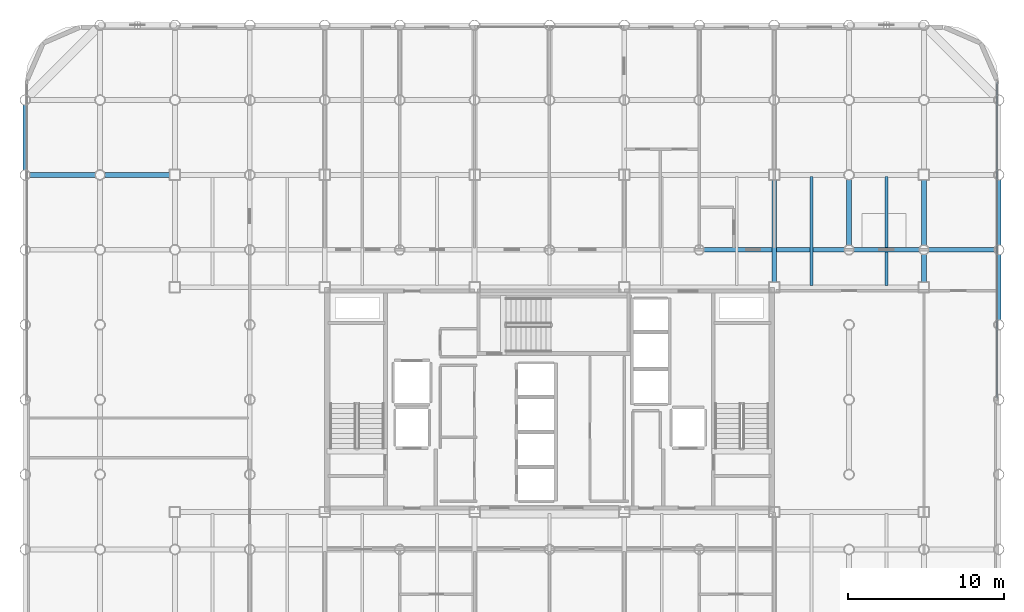
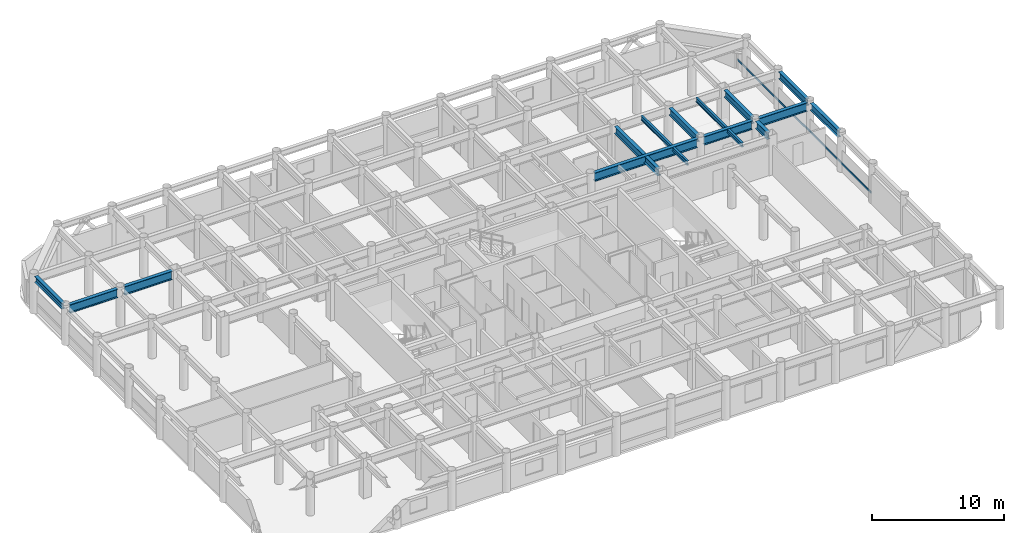
# One storey, part 9 of 21: 14 beams, 1 member, 1 element without a shape of its own.
"""IFC4 building model written with IfcOpenShell, lengths in metres."""

from ifc_helpers import new_model, si_unit, direction, frame, origin, origin_2d, place, context, subcontext, project, spatial, hollow_rectangle, i_section, extrude, material, layer, layer_set, material_profile, profile_set, type_object, element, aggregate, save


model = new_model("IFC4")

# Units and contexts
model_context = context("Model", 3, precision=1e-05, world=origin(), true_north=direction((0.0, 1.0)))
body_context = subcontext(model_context, "Body", "Model", "MODEL_VIEW")
ifc_project = project(units=[si_unit("LENGTHUNIT", "METRE"), si_unit("AREAUNIT", "SQUARE_METRE"), si_unit("VOLUMEUNIT", "CUBIC_METRE"), si_unit("PLANEANGLEUNIT", "RADIAN"), si_unit("MASSUNIT", "GRAM", prefix="KILO")], contexts=[model_context])

# Site, building, storey
site_placement = place(None, origin())
site = spatial("IfcSite", under=ifc_project, at=site_placement, CompositionType="ELEMENT")
building_placement = place(site_placement, origin())
building = spatial("IfcBuilding", under=site, at=building_placement, Name="Kallvorn Hotel Tower", CompositionType="ELEMENT")
storey_placement = place(building_placement, frame((0.0, 0.0, 139.60009765625)))
storey = spatial("IfcBuildingStorey", under=building, at=storey_placement, Name="L34", CompositionType="ELEMENT", Elevation=139.60009765625)

# Beams
ifc_material_1 = material(Name="Structural steel S355JR", Category="steel")
ifc_material_profile_1 = material_profile(ifc_material_1, i_section(OverallWidth=0.300048828125, OverallDepth=0.550048828125, WebThickness=0.014892578125, FlangeThickness=0.029052734375, at=origin_2d()), Name="HE 550 B")
ifc_profile_set_1 = profile_set([ifc_material_profile_1], Name="Structural steel S355JR")
beam_type_1 = type_object("IfcBeamType", Name="BM_HE550B", PredefinedType="SPANDREL", material=ifc_profile_set_1)
beam_1_placement = place(storey_placement, frame((-33.60009765625, 14.719970703125, 3.244873046875), z_axis=(0.0, 1.0, 0.0), x_axis=(-1.0, 0.0, 0.0)))
element("IfcBeam", 1, at=beam_1_placement, inside=storey, type_object=beam_type_1, Name="L35 Perimeter Spandrel 180", PredefinedType="SPANDREL", context=body_context, shape_type="SweptSolid", body=[
    extrude(i_section(OverallWidth=0.300048828125, OverallDepth=0.550048828125, WebThickness=0.014892578125, FlangeThickness=0.029052734375, at=origin_2d()), origin(), (0.0, 0.0, 1.0), 4.159912109375),
])
ifc_material_2 = material(Name="Structural steel S355JR", Category="steel")
ifc_material_profile_2 = material_profile(ifc_material_2, i_section(OverallWidth=0.300048828125, OverallDepth=0.64990234375, WebThickness=0.01611328125, FlangeThickness=0.031005859375, at=origin_2d()), Name="HE 650 B")
ifc_profile_set_2 = profile_set([ifc_material_profile_2], Name="Structural steel S355JR")
beam_type_2 = type_object("IfcBeamType", Name="BM_HE650B", PredefinedType="BEAM", material=ifc_profile_set_2)
beam_2_placement = place(storey_placement, frame((14.39990234375, 7.52490234375, 3.19482421875), z_axis=(0.0, 1.0, 0.0), x_axis=(-1.0, 0.0, 0.0)))
element("IfcBeam", 2, at=beam_2_placement, inside=storey, type_object=beam_type_2, Name="L35 Primary Y-Girder 124", PredefinedType="BEAM", context=body_context, shape_type="SweptSolid", body=[
    extrude(i_section(OverallWidth=0.300048828125, OverallDepth=0.64990234375, WebThickness=0.01611328125, FlangeThickness=0.031005859375, at=origin_2d()), origin(), (0.0, 0.0, 1.0), 6.550048828125),
])
beam_3_placement = place(storey_placement, frame((19.199951171875, 9.905029296875, 3.19482421875), z_axis=(0.0, 1.0, 0.0), x_axis=(-1.0, 0.0, 0.0)))
element("IfcBeam", 3, at=beam_3_placement, inside=storey, type_object=beam_type_2, Name="L35 Primary Y-Girder 133", PredefinedType="BEAM", context=body_context, shape_type="SweptSolid", body=[
    extrude(i_section(OverallWidth=0.300048828125, OverallDepth=0.64990234375, WebThickness=0.01611328125, FlangeThickness=0.031005859375, at=origin_2d()), origin(), (0.0, 0.0, 1.0), 4.18994140625),
])
beam_4_placement = place(storey_placement, frame((24.0, 7.52490234375, 3.19482421875), z_axis=(0.0, 1.0, 0.0), x_axis=(-1.0, 0.0, 0.0)))
element("IfcBeam", 4, at=beam_4_placement, inside=storey, type_object=beam_type_2, Name="L35 Primary Y-Girder 139", PredefinedType="BEAM", context=body_context, shape_type="SweptSolid", body=[
    extrude(i_section(OverallWidth=0.300048828125, OverallDepth=0.64990234375, WebThickness=0.01611328125, FlangeThickness=0.031005859375, at=origin_2d()), origin(), (0.0, 0.0, 1.0), 1.77001953125),
])
beam_5_placement = place(storey_placement, frame((24.0, 9.905029296875, 3.19482421875), z_axis=(0.0, 1.0, 0.0), x_axis=(-1.0, 0.0, 0.0)))
element("IfcBeam", 5, at=beam_5_placement, inside=storey, type_object=beam_type_2, Name="L35 Primary Y-Girder 140", PredefinedType="BEAM", context=body_context, shape_type="SweptSolid", body=[
    extrude(i_section(OverallWidth=0.300048828125, OverallDepth=0.64990234375, WebThickness=0.01611328125, FlangeThickness=0.031005859375, at=origin_2d()), origin(), (0.0, 0.0, 1.0), 4.169921875),
])
for number, where, z_axis, x_axis, name in (
    (6, (28.800048828125, 5.10498046875, 3.19482421875), (0.0, 1.0, 0.0), (-1.0, 0.0, 0.0), "L35 Primary Y-Girder 148"),
    (7, (28.800048828125, 9.905029296875, 3.19482421875), (0.0, 1.0, 0.0), (-1.0, 0.0, 0.0), "L35 Primary Y-Girder 149"),
):
    element("IfcBeam", number, at=place(storey_placement, frame(where, z_axis=z_axis, x_axis=x_axis)), inside=storey, type_object=beam_type_2, Name=name, PredefinedType="BEAM", context=body_context, shape_type="SweptSolid", body=[
        extrude(i_section(OverallWidth=0.300048828125, OverallDepth=0.64990234375, WebThickness=0.01611328125, FlangeThickness=0.031005859375, at=origin_2d()), origin(), (0.0, 0.0, 1.0), 4.18994140625),
    ])
ifc_material_3 = material(Name="Structural steel S355JR", Category="steel")
ifc_material_profile_3 = material_profile(ifc_material_3, i_section(OverallWidth=0.300048828125, OverallDepth=0.800048828125, WebThickness=0.017578125, FlangeThickness=0.032958984375, at=origin_2d()), Name="HE 800 B")
ifc_profile_set_3 = profile_set([ifc_material_profile_3], Name="Structural steel S355JR")
beam_type_3 = type_object("IfcBeamType", Name="BM_HE800B", PredefinedType="BEAM", material=ifc_profile_set_3)
beam_6_placement = place(storey_placement, frame((9.905029296875, 9.60009765625, 3.119873046875), z_axis=(1.0, 0.0, 0.0), x_axis=(0.0, 1.0, 0.0)))
element("IfcBeam", 8, at=beam_6_placement, inside=storey, type_object=beam_type_3, Name="L35 Primary X-Girder 47", PredefinedType="BEAM", context=body_context, shape_type="SweptSolid", body=[
    extrude(i_section(OverallWidth=0.300048828125, OverallDepth=0.800048828125, WebThickness=0.017578125, FlangeThickness=0.032958984375, at=origin_2d()), origin(), (0.0, 0.0, 1.0), 8.989990234375),
])
for number, where, z_axis, x_axis, name in (
    (9, (19.5048828125, 9.60009765625, 3.119873046875), (1.0, 0.0, 0.0), (0.0, 1.0, 0.0), "L35 Primary X-Girder 48"),
    (10, (24.304931640625, 9.60009765625, 3.119873046875), (1.0, 0.0, 0.0), (0.0, 1.0, 0.0), "L35 Primary X-Girder 49"),
):
    element("IfcBeam", number, at=place(storey_placement, frame(where, z_axis=z_axis, x_axis=x_axis)), inside=storey, type_object=beam_type_3, Name=name, PredefinedType="BEAM", context=body_context, shape_type="SweptSolid", body=[
        extrude(i_section(OverallWidth=0.300048828125, OverallDepth=0.800048828125, WebThickness=0.017578125, FlangeThickness=0.032958984375, at=origin_2d()), origin(), (0.0, 0.0, 1.0), 4.190185546875),
    ])
beam_7_placement = place(storey_placement, frame((-33.294921875, 14.39990234375, 3.119873046875), z_axis=(1.0, 0.0, 0.0), x_axis=(0.0, 1.0, 0.0)))
element("IfcBeam", 11, at=beam_7_placement, inside=storey, type_object=beam_type_3, Name="L35 Primary X-Girder 50", PredefinedType="BEAM", context=body_context, shape_type="SweptSolid", body=[
    extrude(i_section(OverallWidth=0.300048828125, OverallDepth=0.800048828125, WebThickness=0.017578125, FlangeThickness=0.032958984375, at=origin_2d()), origin(), (0.0, 0.0, 1.0), 4.18994140625),
])
beam_8_placement = place(storey_placement, frame((-28.4951171875, 14.39990234375, 3.119873046875), z_axis=(1.0, 0.0, 0.0), x_axis=(0.0, 1.0, 0.0)))
element("IfcBeam", 12, at=beam_8_placement, inside=storey, type_object=beam_type_3, Name="L35 Primary X-Girder 51", PredefinedType="BEAM", context=body_context, shape_type="SweptSolid", body=[
    extrude(i_section(OverallWidth=0.300048828125, OverallDepth=0.800048828125, WebThickness=0.017578125, FlangeThickness=0.032958984375, at=origin_2d()), origin(), (0.0, 0.0, 1.0), 4.170166015625),
])
ifc_material_4 = material(Name="Structural steel S355JR", Category="steel")
ifc_material_profile_4 = material_profile(ifc_material_4, i_section(OverallWidth=0.179931640625, OverallDepth=0.39990234375, WebThickness=0.008544921875, FlangeThickness=0.013427734375, at=origin_2d()), Name="IPE 400")
ifc_profile_set_4 = profile_set([ifc_material_profile_4], Name="Structural steel S355JR")
beam_type_4 = type_object("IfcBeamType", Name="BM_IPE400", PredefinedType="JOIST", material=ifc_profile_set_4)
for number, where, z_axis, x_axis, name in (
    (13, (16.800048828125, 7.300048828125, 3.31982421875), (0.0, 1.0, 0.0), (-1.0, 0.0, 0.0), "L35 Secondary Composite Joist 207"),
    (14, (21.60009765625, 7.300048828125, 3.31982421875), (0.0, 1.0, 0.0), (-1.0, 0.0, 0.0), "L35 Secondary Composite Joist 209"),
):
    element("IfcBeam", number, at=place(storey_placement, frame(where, z_axis=z_axis, x_axis=x_axis)), inside=storey, type_object=beam_type_4, Name=name, PredefinedType="JOIST", context=body_context, shape_type="SweptSolid", body=[
        extrude(i_section(OverallWidth=0.179931640625, OverallDepth=0.39990234375, WebThickness=0.008544921875, FlangeThickness=0.013427734375, at=origin_2d()), origin(), (0.0, 0.0, 1.0), 7.0),
    ])

# Curtain wall, member
ifc_material_5 = material(Name="Thermally broken black-anodised aluminium AA 6063-T6", Category="aluminium")
ifc_layer = layer(ifc_material_5, 0.2099609375)
ifc_layer_set = layer_set([ifc_layer], Name="CW_SYS_4_HOTEL_MID")
curtain_wall_type = type_object("IfcCurtainWallType", Name="CW_SYS_4_HOTEL_MID", PredefinedType="USERDEFINED", material=ifc_layer_set)
curtain_wall_placement = place(storey_placement, origin())
curtain_wall = element("IfcCurtainWall", 15, at=curtain_wall_placement, inside=storey, type_object=curtain_wall_type, Name="L34 Dark-Glass Curtain Wall CW-L34-EN", ObjectType="UNITISED CURTAIN WALL", PredefinedType="USERDEFINED")
ifc_material_6 = material(Name="Thermally broken black-anodised aluminium AA 6063-T6", Category="aluminium")
ifc_material_profile_5 = material_profile(ifc_material_6, hollow_rectangle(XDim=0.070068359375, YDim=0.179931640625, WallThickness=0.00390625, at=origin_2d()), Name="TRN 180x70")
ifc_profile_set_5 = profile_set([ifc_material_profile_5], Name="Thermally broken black-anodised aluminium AA 6063-T6")
member_type = type_object("IfcMemberType", Name="CW_TRANSOM_180x70", PredefinedType="USERDEFINED", material=ifc_profile_set_5)
member_placement = place(storey_placement, frame((28.679931640625, 0.06005859375, 0.849853515625), z_axis=(0.0, 1.0, 0.0), x_axis=(-1.0, 0.0, 0.0)))
member = element("IfcMember", 16, at=member_placement, type_object=member_type, Name="CW-L34-EN Transom 00M", ObjectType="TRANSOM", PredefinedType="USERDEFINED", context=body_context, shape_type="SweptSolid", body=[
    extrude(hollow_rectangle(XDim=0.070068359375, YDim=0.179931640625, WallThickness=0.00390625, at=origin_2d()), origin(), (0.0, 0.0, 1.0), 20.300048828125),
])
aggregate(curtain_wall, [member])

save(model, "model.ifc")
